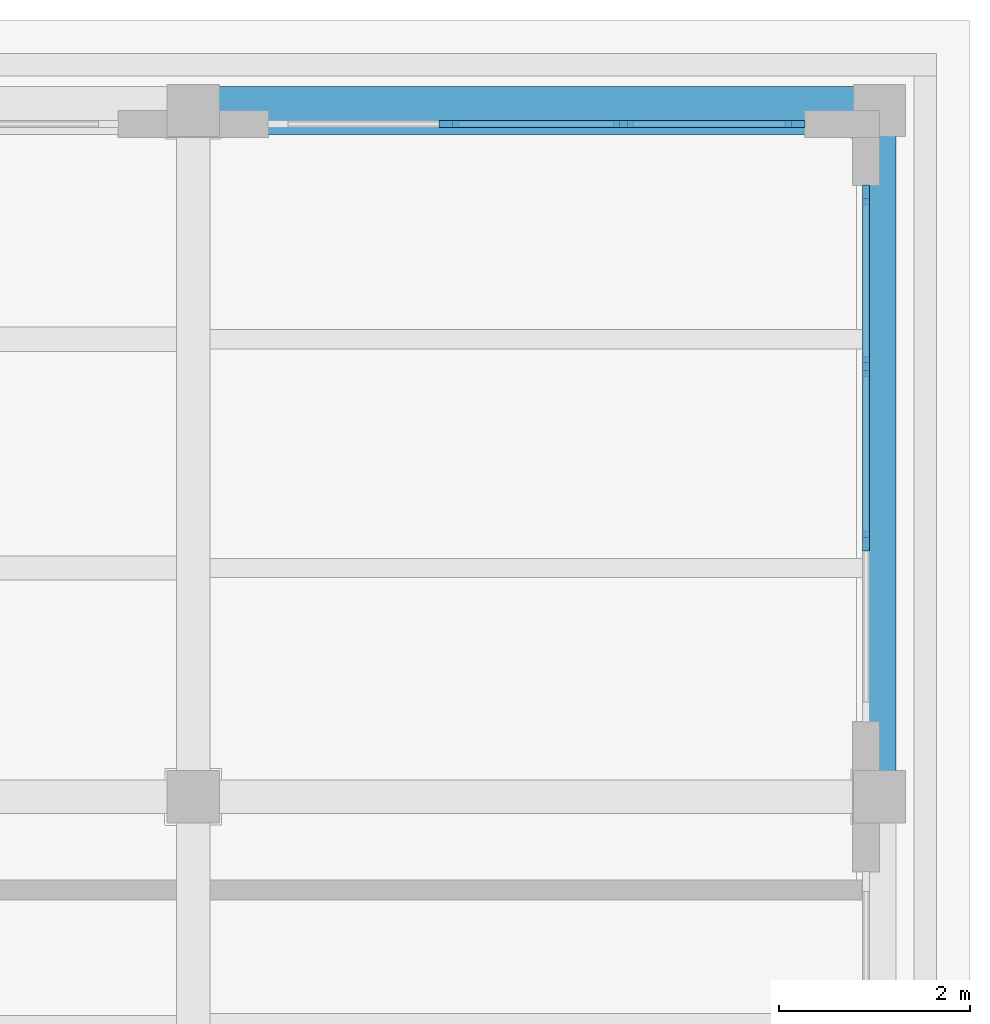
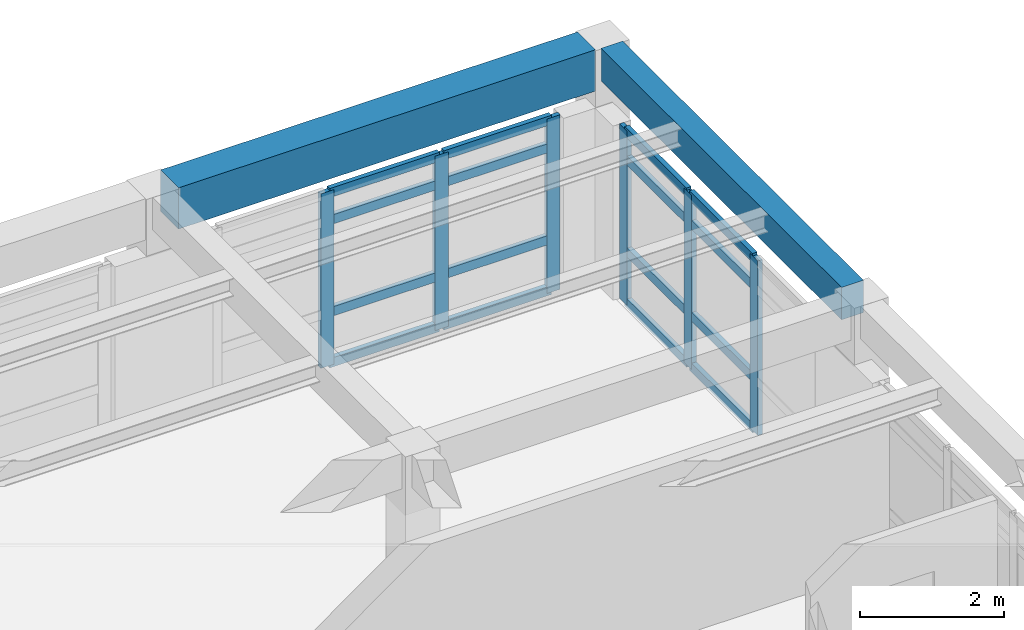
# One storey, part 10 of 21: 22 members, 2 beams, 2 elements without a shape of their own.
"""IFC4 building model written with IfcOpenShell, lengths in metres."""

from ifc_helpers import new_model, si_unit, direction, frame, origin, origin_2d, place, context, subcontext, project, spatial, rectangle, extrude, material, layer, layer_set, material_profile, profile_set, type_object, element, aggregate, save


model = new_model("IFC4")

# Units and contexts
model_context = context("Model", 3, precision=1e-05, world=origin(), true_north=direction((0.0, 1.0)))
body_context = subcontext(model_context, "Body", "Model", "MODEL_VIEW")
ifc_project = project(units=[si_unit("LENGTHUNIT", "METRE"), si_unit("AREAUNIT", "SQUARE_METRE"), si_unit("VOLUMEUNIT", "CUBIC_METRE"), si_unit("PLANEANGLEUNIT", "RADIAN"), si_unit("MASSUNIT", "GRAM", prefix="KILO")], contexts=[model_context])

# Site, building, storey
site_placement = place(None, origin())
site = spatial("IfcSite", under=ifc_project, at=site_placement, CompositionType="ELEMENT")
building_placement = place(site_placement, origin())
building = spatial("IfcBuilding", under=site, at=building_placement, Name="Solenvale Faculty of Natural Sciences", CompositionType="ELEMENT")
storey_placement = place(building_placement, frame((0.0, 0.0, 31.199951171875)))
storey = spatial("IfcBuildingStorey", under=building, at=storey_placement, Name="L07", CompositionType="ELEMENT", Elevation=31.199951171875)

# Beams
ifc_material_1 = material(Name="Concrete 40 MPa", Category="concrete")
ifc_material_profile_1 = material_profile(ifc_material_1, rectangle(XDim=0.35009765625, YDim=0.550048828125, at=origin_2d()), Name="RC-BM-350x550")
ifc_profile_set_1 = profile_set([ifc_material_profile_1], Name="Concrete 40 MPa")
beam_type_1 = type_object("IfcBeamType", Name="BM-RC-350x550", PredefinedType="BEAM", material=ifc_profile_set_1)
beam_1_placement = place(storey_placement, frame((151.199951171875, 108.2548828125, 3.64501953125), z_axis=(0.0, 1.0, 0.0), x_axis=(-1.0, 0.0, 0.0)))
element("IfcBeam", 1, at=beam_1_placement, inside=storey, type_object=beam_type_1, Name="L07 Y-Girder X151.2 (108.0..115.2)", PredefinedType="BEAM", context=body_context, shape_type="SweptSolid", body=[
    extrude(rectangle(XDim=0.35009765625, YDim=0.550048828125, at=origin_2d()), origin(), (0.0, 0.0, 1.0), 6.690185546875),
])
ifc_material_2 = material(Name="Precast concrete 40 MPa", Category="concrete")
ifc_material_profile_2 = material_profile(ifc_material_2, rectangle(XDim=0.5, YDim=0.699951171875, at=origin_2d()), Name="RC-BM-500x700")
ifc_profile_set_2 = profile_set([ifc_material_profile_2], Name="Precast concrete 40 MPa")
beam_type_2 = type_object("IfcBeamType", Name="BM-SPN-PRC-700", PredefinedType="SPANDREL", material=ifc_profile_set_2)
beam_2_placement = place(storey_placement, frame((144.2548828125, 115.199951171875, 3.570068359375), z_axis=(1.0, 0.0, 0.0), x_axis=(0.0, 1.0, 0.0)))
element("IfcBeam", 2, at=beam_2_placement, inside=storey, type_object=beam_type_2, Name="L07 X-Girder Y115.2 (144.0..151.2)", PredefinedType="SPANDREL", context=body_context, shape_type="SweptSolid", body=[
    extrude(rectangle(XDim=0.5, YDim=0.699951171875, at=origin_2d()), origin(), (0.0, 0.0, 1.0), 6.690185546875),
])

# Curtain wall, members
ifc_material_3 = material(Name="Anodised bronze aluminium", Category="aluminium")
ifc_layer = layer(ifc_material_3, 0.179931640625)
ifc_layer_set = layer_set([ifc_layer], Name="Anodised bronze aluminium")
curtain_wall_type = type_object("IfcCurtainWallType", Name="CW-TWR-MOD", PredefinedType="USERDEFINED", material=ifc_layer_set)
curtain_wall_1_placement = place(storey_placement, origin())
curtain_wall_1 = element("IfcCurtainWall", 3, at=curtain_wall_1_placement, inside=storey, type_object=curtain_wall_type, Name="L07 Curtain Wall CW-L07-P1-E1-B3", ObjectType="UNITISED CURTAIN WALL", PredefinedType="USERDEFINED")
ifc_material_profile_3 = material_profile(ifc_material_3, rectangle(XDim=0.074951171875, YDim=0.2099609375, at=origin_2d()), Name="ALU-MUL-75x210")
ifc_profile_set_3 = profile_set([ifc_material_profile_3], Name="Anodised bronze aluminium")
member_type_1 = type_object("IfcMemberType", Name="CWM-ALU-75x210", PredefinedType="MULLION", material=ifc_profile_set_3)
member_1_placement = place(storey_placement, frame((151.0576171875, 110.683349609375, 0.0), z_axis=(0.0, 0.0, 1.0), x_axis=(-1.0, 0.0, 0.0)))
member_1 = element("IfcMember", 4, at=member_1_placement, type_object=member_type_1, Name="CW-04 mullion 2", PredefinedType="MULLION", context=body_context, shape_type="SweptSolid", body=[
    extrude(rectangle(XDim=0.074951171875, YDim=0.2099609375, at=origin_2d()), origin(), (0.0, 0.0, 1.0), 2.9599609375),
])
member_2_placement = place(storey_placement, frame((151.0576171875, 112.5166015625, 0.0), z_axis=(0.0, 0.0, 1.0), x_axis=(-1.0, 0.0, 0.0)))
member_2 = element("IfcMember", 5, at=member_2_placement, type_object=member_type_1, Name="CW-04 mullion 3", PredefinedType="MULLION", context=body_context, shape_type="SweptSolid", body=[
    extrude(rectangle(XDim=0.074951171875, YDim=0.2099609375, at=origin_2d()), origin(), (0.0, 0.0, 1.0), 2.9599609375),
])
member_3_placement = place(storey_placement, frame((151.0576171875, 114.3125, 0.0), z_axis=(0.0, 0.0, 1.0), x_axis=(-1.0, 0.0, 0.0)))
member_3 = element("IfcMember", 6, at=member_3_placement, type_object=member_type_1, Name="CW-04 mullion 4", PredefinedType="MULLION", context=body_context, shape_type="SweptSolid", body=[
    extrude(rectangle(XDim=0.074951171875, YDim=0.2099609375, at=origin_2d()), origin(), (0.0, 0.0, 1.0), 2.9599609375),
])

curtain_wall_2_placement = place(storey_placement, origin())
curtain_wall_2 = element("IfcCurtainWall", 7, at=curtain_wall_2_placement, inside=storey, type_object=curtain_wall_type, Name="L07 Curtain Wall CW-L07-P1-E2-B1", ObjectType="UNITISED CURTAIN WALL", PredefinedType="USERDEFINED")
member_4_placement = place(storey_placement, frame((150.3125, 115.0576171875, 0.0), z_axis=(0.0, 0.0, 1.0), x_axis=(0.0, -1.0, 0.0)))
member_4 = element("IfcMember", 8, at=member_4_placement, type_object=member_type_1, Name="CW-04 mullion 1", PredefinedType="MULLION", context=body_context, shape_type="SweptSolid", body=[
    extrude(rectangle(XDim=0.074951171875, YDim=0.2099609375, at=origin_2d()), origin(), (0.0, 0.0, 1.0), 2.9599609375),
])
member_5_placement = place(storey_placement, frame((148.5166015625, 115.0576171875, 0.0), z_axis=(0.0, 0.0, 1.0), x_axis=(0.0, -1.0, 0.0)))
member_5 = element("IfcMember", 9, at=member_5_placement, type_object=member_type_1, Name="CW-04 mullion 2", PredefinedType="MULLION", context=body_context, shape_type="SweptSolid", body=[
    extrude(rectangle(XDim=0.074951171875, YDim=0.2099609375, at=origin_2d()), origin(), (0.0, 0.0, 1.0), 2.9599609375),
])
member_6_placement = place(storey_placement, frame((146.683349609375, 115.0576171875, 0.0), z_axis=(0.0, 0.0, 1.0), x_axis=(0.0, -1.0, 0.0)))
member_6 = element("IfcMember", 10, at=member_6_placement, type_object=member_type_1, Name="CW-04 mullion 3", PredefinedType="MULLION", context=body_context, shape_type="SweptSolid", body=[
    extrude(rectangle(XDim=0.074951171875, YDim=0.2099609375, at=origin_2d()), origin(), (0.0, 0.0, 1.0), 2.9599609375),
])

# Member
ifc_material_profile_4 = material_profile(ifc_material_3, rectangle(XDim=0.074951171875, YDim=0.155029296875, at=origin_2d()), Name="ALU-TRN-75x155")
ifc_profile_set_4 = profile_set([ifc_material_profile_4], Name="Anodised bronze aluminium")
member_type_2 = type_object("IfcMemberType", Name="CWT-ALU-75x155", PredefinedType="USERDEFINED", material=ifc_profile_set_4)
member_7_placement = place(storey_placement, frame((151.0576171875, 110.720947265625, 0.03759765625), z_axis=(0.0, 1.0, 0.0), x_axis=(-1.0, 0.0, 0.0)))
member_7 = element("IfcMember", 11, at=member_7_placement, type_object=member_type_2, Name="CW-04 transom 2.1", ObjectType="TRANSOM", PredefinedType="USERDEFINED", context=body_context, shape_type="SweptSolid", body=[
    extrude(rectangle(XDim=0.074951171875, YDim=0.155029296875, at=origin_2d()), origin(), (0.0, 0.0, 1.0), 1.75830078125),
])

member_8_placement = place(storey_placement, frame((151.0576171875, 110.720947265625, 0.900146484375), z_axis=(0.0, 1.0, 0.0), x_axis=(-1.0, 0.0, 0.0)))
member_8 = element("IfcMember", 12, at=member_8_placement, type_object=member_type_2, Name="CW-04 transom 2.2", ObjectType="TRANSOM", PredefinedType="USERDEFINED", context=body_context, shape_type="SweptSolid", body=[
    extrude(rectangle(XDim=0.074951171875, YDim=0.155029296875, at=origin_2d()), origin(), (0.0, 0.0, 1.0), 1.75830078125),
])

member_9_placement = place(storey_placement, frame((151.0576171875, 110.720947265625, 2.4599609375), z_axis=(0.0, 1.0, 0.0), x_axis=(-1.0, 0.0, 0.0)))
member_9 = element("IfcMember", 13, at=member_9_placement, type_object=member_type_2, Name="CW-04 transom 2.3", ObjectType="TRANSOM", PredefinedType="USERDEFINED", context=body_context, shape_type="SweptSolid", body=[
    extrude(rectangle(XDim=0.074951171875, YDim=0.155029296875, at=origin_2d()), origin(), (0.0, 0.0, 1.0), 1.75830078125),
])

member_10_placement = place(storey_placement, frame((151.0576171875, 110.720947265625, 2.922607421875), z_axis=(0.0, 1.0, 0.0), x_axis=(-1.0, 0.0, 0.0)))
member_10 = element("IfcMember", 14, at=member_10_placement, type_object=member_type_2, Name="CW-04 transom 2.4", ObjectType="TRANSOM", PredefinedType="USERDEFINED", context=body_context, shape_type="SweptSolid", body=[
    extrude(rectangle(XDim=0.074951171875, YDim=0.155029296875, at=origin_2d()), origin(), (0.0, 0.0, 1.0), 1.75830078125),
])

member_11_placement = place(storey_placement, frame((151.0576171875, 112.55419921875, 0.03759765625), z_axis=(0.0, 1.0, 0.0), x_axis=(-1.0, 0.0, 0.0)))
member_11 = element("IfcMember", 15, at=member_11_placement, type_object=member_type_2, Name="CW-04 transom 3.1", ObjectType="TRANSOM", PredefinedType="USERDEFINED", context=body_context, shape_type="SweptSolid", body=[
    extrude(rectangle(XDim=0.074951171875, YDim=0.155029296875, at=origin_2d()), origin(), (0.0, 0.0, 1.0), 1.720703125),
])

member_12_placement = place(storey_placement, frame((151.0576171875, 112.55419921875, 0.900146484375), z_axis=(0.0, 1.0, 0.0), x_axis=(-1.0, 0.0, 0.0)))
member_12 = element("IfcMember", 16, at=member_12_placement, type_object=member_type_2, Name="CW-04 transom 3.2", ObjectType="TRANSOM", PredefinedType="USERDEFINED", context=body_context, shape_type="SweptSolid", body=[
    extrude(rectangle(XDim=0.074951171875, YDim=0.155029296875, at=origin_2d()), origin(), (0.0, 0.0, 1.0), 1.720703125),
])

member_13_placement = place(storey_placement, frame((151.0576171875, 112.55419921875, 2.4599609375), z_axis=(0.0, 1.0, 0.0), x_axis=(-1.0, 0.0, 0.0)))
member_13 = element("IfcMember", 17, at=member_13_placement, type_object=member_type_2, Name="CW-04 transom 3.3", ObjectType="TRANSOM", PredefinedType="USERDEFINED", context=body_context, shape_type="SweptSolid", body=[
    extrude(rectangle(XDim=0.074951171875, YDim=0.155029296875, at=origin_2d()), origin(), (0.0, 0.0, 1.0), 1.720703125),
])

member_14_placement = place(storey_placement, frame((151.0576171875, 112.55419921875, 2.922607421875), z_axis=(0.0, 1.0, 0.0), x_axis=(-1.0, 0.0, 0.0)))
member_14 = element("IfcMember", 18, at=member_14_placement, type_object=member_type_2, Name="CW-04 transom 3.4", ObjectType="TRANSOM", PredefinedType="USERDEFINED", context=body_context, shape_type="SweptSolid", body=[
    extrude(rectangle(XDim=0.074951171875, YDim=0.155029296875, at=origin_2d()), origin(), (0.0, 0.0, 1.0), 1.720703125),
])

aggregate(curtain_wall_1, [member_1, member_2, member_3, member_7, member_8, member_9, member_10, member_11, member_12, member_13, member_14])

member_15_placement = place(storey_placement, frame((150.27490234375, 115.0576171875, 0.03759765625), z_axis=(-1.0, 0.0, 0.0), x_axis=(0.0, -1.0, 0.0)))
member_15 = element("IfcMember", 19, at=member_15_placement, type_object=member_type_2, Name="CW-04 transom 1.1", ObjectType="TRANSOM", PredefinedType="USERDEFINED", context=body_context, shape_type="SweptSolid", body=[
    extrude(rectangle(XDim=0.074951171875, YDim=0.155029296875, at=origin_2d()), origin(), (0.0, 0.0, 1.0), 1.720703125),
])

member_16_placement = place(storey_placement, frame((150.27490234375, 115.0576171875, 0.900146484375), z_axis=(-1.0, 0.0, 0.0), x_axis=(0.0, -1.0, 0.0)))
member_16 = element("IfcMember", 20, at=member_16_placement, type_object=member_type_2, Name="CW-04 transom 1.2", ObjectType="TRANSOM", PredefinedType="USERDEFINED", context=body_context, shape_type="SweptSolid", body=[
    extrude(rectangle(XDim=0.074951171875, YDim=0.155029296875, at=origin_2d()), origin(), (0.0, 0.0, 1.0), 1.720703125),
])

member_17_placement = place(storey_placement, frame((150.27490234375, 115.0576171875, 2.4599609375), z_axis=(-1.0, 0.0, 0.0), x_axis=(0.0, -1.0, 0.0)))
member_17 = element("IfcMember", 21, at=member_17_placement, type_object=member_type_2, Name="CW-04 transom 1.3", ObjectType="TRANSOM", PredefinedType="USERDEFINED", context=body_context, shape_type="SweptSolid", body=[
    extrude(rectangle(XDim=0.074951171875, YDim=0.155029296875, at=origin_2d()), origin(), (0.0, 0.0, 1.0), 1.720703125),
])

member_18_placement = place(storey_placement, frame((150.27490234375, 115.0576171875, 2.922607421875), z_axis=(-1.0, 0.0, 0.0), x_axis=(0.0, -1.0, 0.0)))
member_18 = element("IfcMember", 22, at=member_18_placement, type_object=member_type_2, Name="CW-04 transom 1.4", ObjectType="TRANSOM", PredefinedType="USERDEFINED", context=body_context, shape_type="SweptSolid", body=[
    extrude(rectangle(XDim=0.074951171875, YDim=0.155029296875, at=origin_2d()), origin(), (0.0, 0.0, 1.0), 1.720703125),
])

member_19_placement = place(storey_placement, frame((148.479248046875, 115.0576171875, 0.03759765625), z_axis=(-1.0, 0.0, 0.0), x_axis=(0.0, -1.0, 0.0)))
member_19 = element("IfcMember", 23, at=member_19_placement, type_object=member_type_2, Name="CW-04 transom 2.1", ObjectType="TRANSOM", PredefinedType="USERDEFINED", context=body_context, shape_type="SweptSolid", body=[
    extrude(rectangle(XDim=0.074951171875, YDim=0.155029296875, at=origin_2d()), origin(), (0.0, 0.0, 1.0), 1.75830078125),
])

member_20_placement = place(storey_placement, frame((148.479248046875, 115.0576171875, 0.900146484375), z_axis=(-1.0, 0.0, 0.0), x_axis=(0.0, -1.0, 0.0)))
member_20 = element("IfcMember", 24, at=member_20_placement, type_object=member_type_2, Name="CW-04 transom 2.2", ObjectType="TRANSOM", PredefinedType="USERDEFINED", context=body_context, shape_type="SweptSolid", body=[
    extrude(rectangle(XDim=0.074951171875, YDim=0.155029296875, at=origin_2d()), origin(), (0.0, 0.0, 1.0), 1.75830078125),
])

member_21_placement = place(storey_placement, frame((148.479248046875, 115.0576171875, 2.4599609375), z_axis=(-1.0, 0.0, 0.0), x_axis=(0.0, -1.0, 0.0)))
member_21 = element("IfcMember", 25, at=member_21_placement, type_object=member_type_2, Name="CW-04 transom 2.3", ObjectType="TRANSOM", PredefinedType="USERDEFINED", context=body_context, shape_type="SweptSolid", body=[
    extrude(rectangle(XDim=0.074951171875, YDim=0.155029296875, at=origin_2d()), origin(), (0.0, 0.0, 1.0), 1.75830078125),
])

member_22_placement = place(storey_placement, frame((148.479248046875, 115.0576171875, 2.922607421875), z_axis=(-1.0, 0.0, 0.0), x_axis=(0.0, -1.0, 0.0)))
member_22 = element("IfcMember", 26, at=member_22_placement, type_object=member_type_2, Name="CW-04 transom 2.4", ObjectType="TRANSOM", PredefinedType="USERDEFINED", context=body_context, shape_type="SweptSolid", body=[
    extrude(rectangle(XDim=0.074951171875, YDim=0.155029296875, at=origin_2d()), origin(), (0.0, 0.0, 1.0), 1.75830078125),
])

aggregate(curtain_wall_2, [member_4, member_5, member_6, member_15, member_16, member_17, member_18, member_19, member_20, member_21, member_22])

save(model, "model.ifc")
